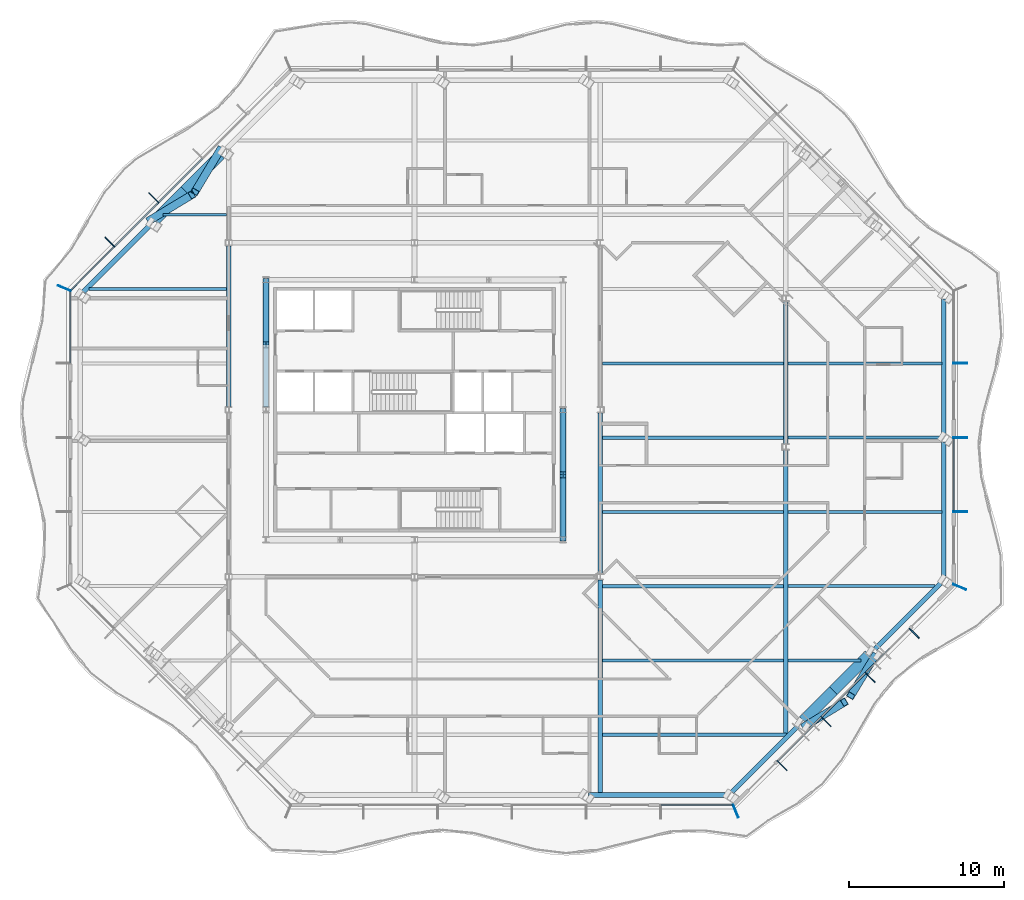
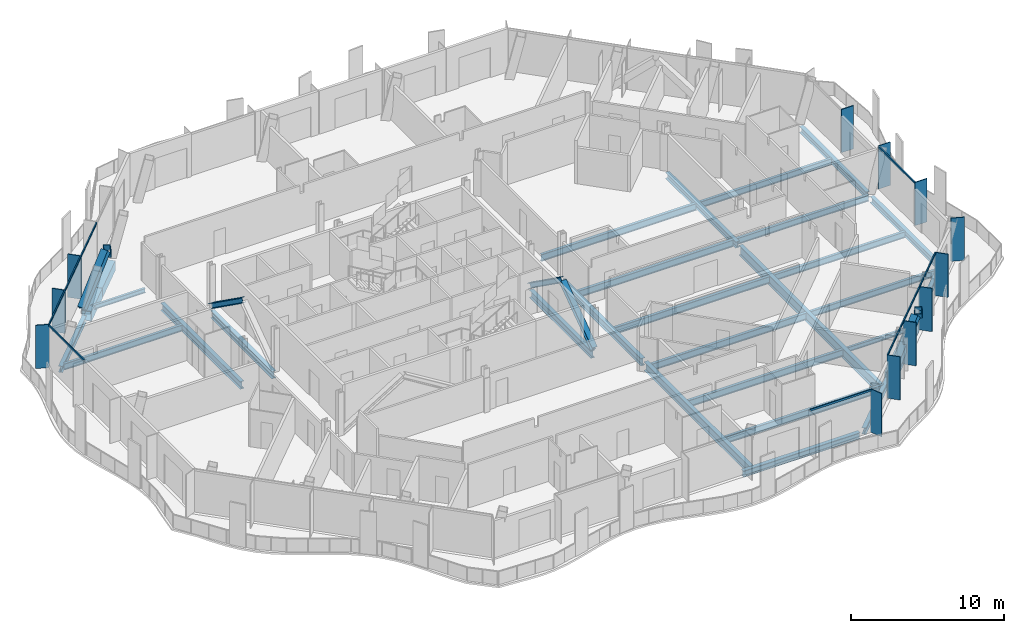
# One storey, part 4 of 19: 30 beams, 28 members, 5 elements without a shape of their own.
"""IFC4 building model written with IfcOpenShell, lengths in metres."""

from ifc_helpers import new_model, si_unit, direction, frame, origin, origin_2d, place, context, subcontext, project, spatial, rectangle, hollow_rectangle, i_section, extrude, material, material_profile, profile_set, type_object, element, aggregate, save


model = new_model("IFC4")

# Units and contexts
model_context = context("Model", 3, precision=1e-05, world=origin(), true_north=direction((0.0, 1.0)))
body_context = subcontext(model_context, "Body", "Model", "MODEL_VIEW")
ifc_project = project(units=[si_unit("LENGTHUNIT", "METRE"), si_unit("AREAUNIT", "SQUARE_METRE"), si_unit("VOLUMEUNIT", "CUBIC_METRE"), si_unit("PLANEANGLEUNIT", "RADIAN"), si_unit("MASSUNIT", "GRAM", prefix="KILO")], contexts=[model_context])

# Site, building, storey
site_placement = place(None, origin())
site = spatial("IfcSite", under=ifc_project, at=site_placement, CompositionType="ELEMENT")
building_placement = place(site_placement, origin())
building = spatial("IfcBuilding", under=site, at=building_placement, Name="Cairn Pilgrim Tower", CompositionType="ELEMENT")
storey_placement = place(building_placement, frame((0.0, 0.0, 193.800048828125)))
storey = spatial("IfcBuildingStorey", under=building, at=storey_placement, Name="L49", CompositionType="ELEMENT", Elevation=193.800048828125)

# Members
ifc_material_1 = material(Name="Structural steel S460M", Category="steel")
ifc_material_profile_1 = material_profile(ifc_material_1, hollow_rectangle(XDim=0.5, YDim=0.5, WallThickness=0.030029296875, at=origin_2d()), Name="BOX 500x500x30")
ifc_profile_set_1 = profile_set([ifc_material_profile_1], Name="Structural steel S460M")
member_type_1 = type_object("IfcMemberType", Name="BOX 500x500x30 BRACE", PredefinedType="BRACE", material=ifc_profile_set_1)
member_1_placement = place(storey_placement, frame((32.41650390625, -18.055908203125, 0.14990234375), z_axis=(0.644812498012, 0.39144938738, 0.656493883846), x_axis=(-0.518935596593, 0.854813340203, 0.0)))
element("IfcMember", 1, at=member_1_placement, inside=storey, type_object=member_type_1, Name="XB-SE2-SE3-1", PredefinedType="BRACE", context=body_context, shape_type="SweptSolid", body=[
    extrude(hollow_rectangle(XDim=0.5, YDim=0.5, WallThickness=0.030029296875, at=origin_2d()), origin(), (0.0, 0.0, 1.0), 3.970947265625),
])
member_2_placement = place(storey_placement, frame((36.9560546875, -13.5166015625, 0.14990234375), z_axis=(-0.391501445587, -0.644796978851, 0.65647808354), x_axis=(0.854777185074, -0.518995148222, 0.0)))
element("IfcMember", 2, at=member_2_placement, inside=storey, type_object=member_type_1, Name="XB-SE2-SE3-2", PredefinedType="BRACE", context=body_context, shape_type="SweptSolid", body=[
    extrude(hollow_rectangle(XDim=0.5, YDim=0.5, WallThickness=0.030029296875, at=origin_2d()), origin(), (0.0, 0.0, 1.0), 3.97119140625),
])
member_3_placement = place(storey_placement, frame((-5.351318359375, 19.2119140625, 0.13232421875), z_axis=(-0.39666235329, -0.656883692244, 0.641219769148), x_axis=(0.856033691738, -0.516920031156, 0.0)))
element("IfcMember", 3, at=member_3_placement, inside=storey, type_object=member_type_1, Name="XB-NW2-NW3-1", PredefinedType="BRACE", context=body_context, shape_type="SweptSolid", body=[
    extrude(hollow_rectangle(XDim=0.5, YDim=0.5, WallThickness=0.030029296875, at=origin_2d()), origin(), (0.0, 0.0, 1.0), 4.14599609375),
])
member_4_placement = place(storey_placement, frame((-9.91015625, 14.656005859375, 0.1337890625), z_axis=(0.657089677269, 0.395915981541, 0.641469945974), x_axis=(-0.516088024647, 0.856535551402, 0.0)))
element("IfcMember", 4, at=member_4_placement, inside=storey, type_object=member_type_1, Name="XB-NW2-NW3-2", PredefinedType="BRACE", context=body_context, shape_type="SweptSolid", body=[
    extrude(hollow_rectangle(XDim=0.5, YDim=0.5, WallThickness=0.030029296875, at=origin_2d()), origin(), (0.0, 0.0, 1.0), 4.14208984375),
])

# Beams
ifc_material_2 = material(Name="Structural steel S355J2", Category="steel")
ifc_material_profile_2 = material_profile(ifc_material_2, hollow_rectangle(XDim=0.699951171875, YDim=0.800048828125, WallThickness=0.0400390625, at=origin_2d()), Name="BOX 700x800x40")
ifc_profile_set_2 = profile_set([ifc_material_profile_2], Name="Structural steel S355J2")
beam_type_1 = type_object("IfcBeamType", Name="BOX 700x800x40 RING GIRDER", PredefinedType="SPANDREL", material=ifc_profile_set_2)
beam_1_placement = place(storey_placement, frame((32.34228515625, -17.684814453125, -0.550048828125), z_axis=(0.707151417539, 0.707062142016, 0.0), x_axis=(-0.707062142016, 0.707151417539, 0.0)))
element("IfcBeam", 5, at=beam_1_placement, inside=storey, type_object=beam_type_1, Name="RG2-SE2-SE3-1", PredefinedType="SPANDREL", context=body_context, shape_type="SweptSolid", body=[
    extrude(hollow_rectangle(XDim=0.699951171875, YDim=0.800048828125, WallThickness=0.0400390625, at=origin_2d()), origin(), (0.0, 0.0, 1.0), 2.734619140625),
])
for number, where, z_axis, x_axis, name in (
    (6, (34.276123046875, -15.751220703125, -0.550048828125), (0.707069392857, 0.707144167539, 0.0), (-0.707144167539, 0.707069392857, 0.0), "RG2-SE2-SE3-2"),
    (7, (-5.34228515625, 18.884765625, -0.550048828125), (-0.707144167539, -0.707069392857, 0.0), (0.707069392857, -0.707144167539, 0.0), "RG2-NW2-NW3-1"),
):
    element("IfcBeam", number, at=place(storey_placement, frame(where, z_axis=z_axis, x_axis=x_axis)), inside=storey, type_object=beam_type_1, Name=name, PredefinedType="SPANDREL", context=body_context, shape_type="SweptSolid", body=[
        extrude(hollow_rectangle(XDim=0.699951171875, YDim=0.800048828125, WallThickness=0.0400390625, at=origin_2d()), origin(), (0.0, 0.0, 1.0), 3.26513671875),
    ])
beam_2_placement = place(storey_placement, frame((-7.651123046875, 16.576171875, -0.550048828125), z_axis=(-0.707062142016, -0.707151417539, 0.0), x_axis=(0.707151417539, -0.707062142016, 0.0)))
element("IfcBeam", 8, at=beam_2_placement, inside=storey, type_object=beam_type_1, Name="RG2-NW2-NW3-2", PredefinedType="SPANDREL", context=body_context, shape_type="SweptSolid", body=[
    extrude(hollow_rectangle(XDim=0.699951171875, YDim=0.800048828125, WallThickness=0.0400390625, at=origin_2d()), origin(), (0.0, 0.0, 1.0), 2.734619140625),
])

# Curtain wall, members
ifc_material_3 = material(Name="Aluminium alloy 6063-T6 bronze anodised with Bronze tinted laminated low-E glass 8+16+8.8", Category="aluminium")
curtain_wall_type_1 = type_object("IfcCurtainWallType", Name="CHAMFER CORNER CURTAIN WALL", PredefinedType="NOTDEFINED", material=ifc_material_3)
curtain_wall_1_placement = place(storey_placement, origin())
curtain_wall_1 = element("IfcCurtainWall", 9, at=curtain_wall_1_placement, inside=storey, type_object=curtain_wall_type_1, Name="Chamfer Corner Curtain Wall SE", PredefinedType="NOTDEFINED")
ifc_material_4 = material(Name="Aluminium alloy 6063-T6 bronze anodised", Category="aluminium")
ifc_material_profile_3 = material_profile(ifc_material_4, rectangle(XDim=0.89990234375, YDim=0.06005859375, at=origin_2d()), Name="FIN MULLION 60x900 BRONZE")
ifc_profile_set_3 = profile_set([ifc_material_profile_3], Name="Aluminium alloy 6063-T6 bronze anodised")
member_type_2 = type_object("IfcMemberType", Name="FIN MULLION 60x900 BRONZE", PredefinedType="MULLION", material=ifc_profile_set_3)
member_5_placement = place(storey_placement, frame((27.957275390625, -23.5380859375, 0.0), z_axis=(0.0, 0.0, 1.0), x_axis=(0.382683432365, -0.923879532511, 0.0)))
member_5 = element("IfcMember", 10, at=member_5_placement, type_object=member_type_2, Name="Fin mullion SE1", PredefinedType="MULLION", context=body_context, shape_type="SweptSolid", body=[
    extrude(rectangle(XDim=0.89990234375, YDim=0.06005859375, at=origin_2d()), origin(), (0.0, 0.0, 1.0), 3.449951171875),
])
member_6_placement = place(storey_placement, frame((30.944091796875, -20.59619140625, 0.0), z_axis=(0.0, 0.0, 1.0), x_axis=(0.707106781187, -0.707106781187, 0.0)))
member_6 = element("IfcMember", 11, at=member_6_placement, type_object=member_type_2, Name="Fin mullion SE2", PredefinedType="MULLION", context=body_context, shape_type="SweptSolid", body=[
    extrude(rectangle(XDim=0.89990234375, YDim=0.06005859375, at=origin_2d()), origin(), (0.0, 0.0, 1.0), 3.449951171875),
])
member_7_placement = place(storey_placement, frame((33.794921875, -17.74560546875, 0.0), z_axis=(0.0, 0.0, 1.0), x_axis=(0.707106781187, -0.707106781187, 0.0)))
member_7 = element("IfcMember", 12, at=member_7_placement, type_object=member_type_2, Name="Fin mullion SE3", PredefinedType="MULLION", context=body_context, shape_type="SweptSolid", body=[
    extrude(rectangle(XDim=0.89990234375, YDim=0.06005859375, at=origin_2d()), origin(), (0.0, 0.0, 1.0), 3.449951171875),
])
member_8_placement = place(storey_placement, frame((36.6455078125, -14.894775390625, 0.0), z_axis=(0.0, 0.0, 1.0), x_axis=(0.707106781187, -0.707106781187, 0.0)))
member_8 = element("IfcMember", 13, at=member_8_placement, type_object=member_type_2, Name="Fin mullion SE4", PredefinedType="MULLION", context=body_context, shape_type="SweptSolid", body=[
    extrude(rectangle(XDim=0.89990234375, YDim=0.06005859375, at=origin_2d()), origin(), (0.0, 0.0, 1.0), 3.449951171875),
])
member_9_placement = place(storey_placement, frame((39.496337890625, -12.044189453125, 0.0), z_axis=(0.0, 0.0, 1.0), x_axis=(0.707106781187, -0.707106781187, 0.0)))
member_9 = element("IfcMember", 14, at=member_9_placement, type_object=member_type_2, Name="Fin mullion SE5", PredefinedType="MULLION", context=body_context, shape_type="SweptSolid", body=[
    extrude(rectangle(XDim=0.89990234375, YDim=0.06005859375, at=origin_2d()), origin(), (0.0, 0.0, 1.0), 3.449951171875),
])

curtain_wall_type_2 = type_object("IfcCurtainWallType", Name="TOWER STICK CURTAIN WALL EW", PredefinedType="NOTDEFINED", material=ifc_material_3)
curtain_wall_2_placement = place(storey_placement, origin())
curtain_wall_2 = element("IfcCurtainWall", 15, at=curtain_wall_2_placement, inside=storey, type_object=curtain_wall_type_2, Name="Tower Stick Curtain Wall Ew E", PredefinedType="NOTDEFINED")
member_10_placement = place(storey_placement, frame((42.43798828125, -9.05712890625, 0.0), z_axis=(0.0, 0.0, 1.0), x_axis=(0.923879532511, -0.382683432365, 0.0)))
member_10 = element("IfcMember", 16, at=member_10_placement, type_object=member_type_2, Name="Fin mullion E1", PredefinedType="MULLION", context=body_context, shape_type="SweptSolid", body=[
    extrude(rectangle(XDim=0.89990234375, YDim=0.06005859375, at=origin_2d()), origin(), (0.0, 0.0, 1.0), 3.449951171875),
])
member_11_placement = place(storey_placement, frame((42.469970703125, -4.199951171875, 0.0), z_axis=(0.0, 0.0, 1.0), x_axis=(1.0, 0.0, 0.0)))
member_11 = element("IfcMember", 17, at=member_11_placement, type_object=member_type_2, Name="Fin mullion E2", PredefinedType="MULLION", context=body_context, shape_type="SweptSolid", body=[
    extrude(rectangle(XDim=0.89990234375, YDim=0.06005859375, at=origin_2d()), origin(), (0.0, 0.0, 1.0), 3.449951171875),
])
member_12_placement = place(storey_placement, frame((42.469970703125, 0.60009765625, 0.0), z_axis=(0.0, 0.0, 1.0), x_axis=(1.0, 0.0, 0.0)))
member_12 = element("IfcMember", 18, at=member_12_placement, type_object=member_type_2, Name="Fin mullion E3", PredefinedType="MULLION", context=body_context, shape_type="SweptSolid", body=[
    extrude(rectangle(XDim=0.89990234375, YDim=0.06005859375, at=origin_2d()), origin(), (0.0, 0.0, 1.0), 3.449951171875),
])
member_13_placement = place(storey_placement, frame((42.469970703125, 5.39990234375, 0.0), z_axis=(0.0, 0.0, 1.0), x_axis=(1.0, 0.0, 0.0)))
member_13 = element("IfcMember", 19, at=member_13_placement, type_object=member_type_2, Name="Fin mullion E4", PredefinedType="MULLION", context=body_context, shape_type="SweptSolid", body=[
    extrude(rectangle(XDim=0.89990234375, YDim=0.06005859375, at=origin_2d()), origin(), (0.0, 0.0, 1.0), 3.449951171875),
])

curtain_wall_3_placement = place(storey_placement, origin())
curtain_wall_3 = element("IfcCurtainWall", 20, at=curtain_wall_3_placement, inside=storey, type_object=curtain_wall_type_1, Name="Chamfer Corner Curtain Wall NW", PredefinedType="NOTDEFINED")
member_14_placement = place(storey_placement, frame((-9.6455078125, 16.094970703125, 0.0), z_axis=(0.0, 0.0, 1.0), x_axis=(-0.707106781187, 0.707106781187, 0.0)))
member_14 = element("IfcMember", 21, at=member_14_placement, type_object=member_type_2, Name="Fin mullion NW4", PredefinedType="MULLION", context=body_context, shape_type="SweptSolid", body=[
    extrude(rectangle(XDim=0.89990234375, YDim=0.06005859375, at=origin_2d()), origin(), (0.0, 0.0, 1.0), 3.449951171875),
])
member_15_placement = place(storey_placement, frame((-12.496337890625, 13.244140625, 0.0), z_axis=(0.0, 0.0, 1.0), x_axis=(-0.707106781187, 0.707106781187, 0.0)))
member_15 = element("IfcMember", 22, at=member_15_placement, type_object=member_type_2, Name="Fin mullion NW5", PredefinedType="MULLION", context=body_context, shape_type="SweptSolid", body=[
    extrude(rectangle(XDim=0.89990234375, YDim=0.06005859375, at=origin_2d()), origin(), (0.0, 0.0, 1.0), 3.449951171875),
])

# Curtain wall, member
curtain_wall_4_placement = place(storey_placement, origin())
curtain_wall_4 = element("IfcCurtainWall", 23, at=curtain_wall_4_placement, inside=storey, type_object=curtain_wall_type_2, Name="Tower Stick Curtain Wall Ew W", PredefinedType="NOTDEFINED")
member_16_placement = place(storey_placement, frame((-15.43798828125, 10.257080078125, 0.0), z_axis=(0.0, 0.0, 1.0), x_axis=(-0.923879532511, 0.382683432365, 0.0)))
member_16 = element("IfcMember", 24, at=member_16_placement, type_object=member_type_2, Name="Fin mullion W1", PredefinedType="MULLION", context=body_context, shape_type="SweptSolid", body=[
    extrude(rectangle(XDim=0.89990234375, YDim=0.06005859375, at=origin_2d()), origin(), (0.0, 0.0, 1.0), 3.449951171875),
])

# Members
ifc_material_profile_4 = material_profile(ifc_material_2, i_section(OverallWidth=0.39794921875, OverallDepth=0.386962890625, WebThickness=0.02099609375, FlangeThickness=0.033203125, FilletRadius=0.014892578125, at=origin_2d()), Name="HD 400x262")
ifc_profile_set_4 = profile_set([ifc_material_profile_4], Name="Structural steel S355J2")
member_type_3 = type_object("IfcMemberType", Name="HD 400x262 BRACE", PredefinedType="BRACE", material=ifc_profile_set_4)
member_17_placement = place(storey_placement, frame((16.800048828125, -5.959716796875, 0.099853515625), z_axis=(0.0, 0.814429122825, 0.580263047155), x_axis=(-1.0, 0.0, 0.0)))
element("IfcMember", 25, at=member_17_placement, inside=storey, type_object=member_type_3, Name="KB-2A", PredefinedType="BRACE", context=body_context, shape_type="SweptSolid", body=[
    extrude(i_section(OverallWidth=0.39794921875, OverallDepth=0.386962890625, WebThickness=0.02099609375, FlangeThickness=0.033203125, FilletRadius=0.014892578125, at=origin_2d()), origin(), (0.0, 0.0, 1.0), 4.999267578125),
])
for number, where, z_axis, x_axis, name in (
    (26, (16.800048828125, 2.359619140625, 0.099853515625), (0.0, -0.814412678688, 0.580286126659), (1.0, 0.0, 0.0), "KB-2B"),
    (27, (-2.39990234375, 10.759521484375, 0.099853515625), (0.0, -0.814412678688, 0.580286126659), (1.0, 0.0, 0.0), "KB-4A"),
):
    element("IfcMember", number, at=place(storey_placement, frame(where, z_axis=z_axis, x_axis=x_axis)), inside=storey, type_object=member_type_3, Name=name, PredefinedType="BRACE", context=body_context, shape_type="SweptSolid", body=[
        extrude(i_section(OverallWidth=0.39794921875, OverallDepth=0.386962890625, WebThickness=0.02099609375, FlangeThickness=0.033203125, FilletRadius=0.014892578125, at=origin_2d()), origin(), (0.0, 0.0, 1.0), 4.9990234375),
    ])

# Beams
ifc_material_profile_5 = material_profile(ifc_material_2, i_section(OverallWidth=0.300048828125, OverallDepth=0.5, WebThickness=0.014404296875, FlangeThickness=0.028076171875, FilletRadius=0.027099609375, at=origin_2d()), Name="HEB 500")
ifc_profile_set_5 = profile_set([ifc_material_profile_5], Name="Structural steel S355J2")
beam_type_2 = type_object("IfcBeamType", Name="HEB 500 GIRDER", PredefinedType="BEAM", material=ifc_profile_set_5)
beam_3_placement = place(storey_placement, frame((31.199951171875, 0.20458984375, -0.400146484375), z_axis=(0.0, 1.0, 0.0), x_axis=(-1.0, 0.0, 0.0)))
element("IfcBeam", 28, at=beam_3_placement, inside=storey, type_object=beam_type_2, Name="PG5-2", PredefinedType="BEAM", context=body_context, shape_type="SweptSolid", body=[
    extrude(i_section(OverallWidth=0.300048828125, OverallDepth=0.5, WebThickness=0.014404296875, FlangeThickness=0.028076171875, FilletRadius=0.027099609375, at=origin_2d()), origin(), (0.0, 0.0, 1.0), 9.19091796875),
])
ifc_material_profile_6 = material_profile(ifc_material_2, i_section(OverallWidth=0.300048828125, OverallDepth=0.5, WebThickness=0.014404296875, FlangeThickness=0.028076171875, FilletRadius=0.027099609375, at=origin_2d()), Name="HEB 500")
ifc_profile_set_6 = profile_set([ifc_material_profile_6], Name="Structural steel S355J2")
beam_type_3 = type_object("IfcBeamType", Name="HEB 500 RING GIRDER", PredefinedType="SPANDREL", material=ifc_profile_set_6)
beam_4_placement = place(storey_placement, frame((18.44580078125, -22.5, -0.400146484375), z_axis=(1.0, 0.0, 0.0), x_axis=(0.0, 1.0, 0.0)))
element("IfcBeam", 29, at=beam_4_placement, inside=storey, type_object=beam_type_3, Name="RG2-S3-SE1", PredefinedType="SPANDREL", context=body_context, shape_type="SweptSolid", body=[
    extrude(i_section(OverallWidth=0.300048828125, OverallDepth=0.5, WebThickness=0.014404296875, FlangeThickness=0.028076171875, FilletRadius=0.027099609375, at=origin_2d()), origin(), (0.0, 0.0, 1.0), 8.811279296875),
])
beam_5_placement = place(storey_placement, frame((27.718017578125, -22.30908203125, -0.400146484375), z_axis=(0.707127126363, 0.707086435425, 0.0), x_axis=(-0.707086435425, 0.707127126363, 0.0)))
element("IfcBeam", 30, at=beam_5_placement, inside=storey, type_object=beam_type_3, Name="RG2-SE1-SE2", PredefinedType="SPANDREL", context=body_context, shape_type="SweptSolid", body=[
    extrude(i_section(OverallWidth=0.300048828125, OverallDepth=0.5, WebThickness=0.014404296875, FlangeThickness=0.028076171875, FilletRadius=0.027099609375, at=origin_2d()), origin(), (0.0, 0.0, 1.0), 5.999755859375),
])
beam_6_placement = place(storey_placement, frame((36.966796875, -13.060546875, -0.400146484375), z_axis=(0.707086434254, 0.707127127534, 0.0), x_axis=(-0.707127127534, 0.707086434254, 0.0)))
element("IfcBeam", 31, at=beam_6_placement, inside=storey, type_object=beam_type_3, Name="RG2-SE3-E1", PredefinedType="SPANDREL", context=body_context, shape_type="SweptSolid", body=[
    extrude(i_section(OverallWidth=0.300048828125, OverallDepth=0.5, WebThickness=0.014404296875, FlangeThickness=0.028076171875, FilletRadius=0.027099609375, at=origin_2d()), origin(), (0.0, 0.0, 1.0), 5.99951171875),
])
beam_7_placement = place(storey_placement, frame((41.39990234375, -8.357177734375, -0.400146484375), z_axis=(0.0, 1.0, 0.0), x_axis=(-1.0, 0.0, 0.0)))
element("IfcBeam", 32, at=beam_7_placement, inside=storey, type_object=beam_type_3, Name="RG2-E1-E2", PredefinedType="SPANDREL", context=body_context, shape_type="SweptSolid", body=[
    extrude(i_section(OverallWidth=0.300048828125, OverallDepth=0.5, WebThickness=0.014404296875, FlangeThickness=0.028076171875, FilletRadius=0.027099609375, at=origin_2d()), origin(), (0.0, 0.0, 1.0), 8.687255859375),
])
beam_8_placement = place(storey_placement, frame((41.39990234375, 0.8701171875, -0.400146484375), z_axis=(0.0, 1.0, 0.0), x_axis=(-1.0, 0.0, 0.0)))
element("IfcBeam", 33, at=beam_8_placement, inside=storey, type_object=beam_type_3, Name="RG2-E2-NE1", PredefinedType="SPANDREL", context=body_context, shape_type="SweptSolid", body=[
    extrude(i_section(OverallWidth=0.300048828125, OverallDepth=0.5, WebThickness=0.014404296875, FlangeThickness=0.028076171875, FilletRadius=0.027099609375, at=origin_2d()), origin(), (0.0, 0.0, 1.0), 8.68701171875),
])
beam_9_placement = place(storey_placement, frame((-9.966796875, 14.260498046875, -0.400146484375), z_axis=(-0.707086434254, -0.707127127534, 0.0), x_axis=(0.707127127534, -0.707086434254, 0.0)))
element("IfcBeam", 34, at=beam_9_placement, inside=storey, type_object=beam_type_3, Name="RG2-NW3-W1", PredefinedType="SPANDREL", context=body_context, shape_type="SweptSolid", body=[
    extrude(i_section(OverallWidth=0.300048828125, OverallDepth=0.5, WebThickness=0.014404296875, FlangeThickness=0.028076171875, FilletRadius=0.027099609375, at=origin_2d()), origin(), (0.0, 0.0, 1.0), 5.99951171875),
])
ifc_material_profile_7 = material_profile(ifc_material_2, i_section(OverallWidth=0.300048828125, OverallDepth=0.60009765625, WebThickness=0.015380859375, FlangeThickness=0.030029296875, FilletRadius=0.027099609375, at=origin_2d()), Name="HEB 600")
ifc_profile_set_7 = profile_set([ifc_material_profile_7], Name="Structural steel S355J2")
beam_type_4 = type_object("IfcBeamType", Name="HEB 600 CORE BEAM", PredefinedType="BEAM", material=ifc_profile_set_7)
for number, where, z_axis, x_axis, name in (
    (35, (16.800048828125, -5.818115234375, -0.449951171875), (0.0, 1.0, 0.0), (-1.0, 0.0, 0.0), "CB-3"),
    (36, (-2.39990234375, 10.6181640625, -0.449951171875), (0.0, -1.0, 0.0), (1.0, 0.0, 0.0), "CB-7"),
):
    element("IfcBeam", number, at=place(storey_placement, frame(where, z_axis=z_axis, x_axis=x_axis)), inside=storey, type_object=beam_type_4, Name=name, PredefinedType="BEAM", context=body_context, shape_type="SweptSolid", body=[
        extrude(i_section(OverallWidth=0.300048828125, OverallDepth=0.60009765625, WebThickness=0.015380859375, FlangeThickness=0.030029296875, FilletRadius=0.027099609375, at=origin_2d()), origin(), (0.0, 0.0, 1.0), 8.036376953125),
    ])
ifc_material_profile_8 = material_profile(ifc_material_2, i_section(OverallWidth=0.300048828125, OverallDepth=0.60009765625, WebThickness=0.015380859375, FlangeThickness=0.030029296875, FilletRadius=0.027099609375, at=origin_2d()), Name="HEB 600")
ifc_profile_set_8 = profile_set([ifc_material_profile_8], Name="Structural steel S355J2")
beam_type_5 = type_object("IfcBeamType", Name="HEB 600 GIRDER", PredefinedType="BEAM", material=ifc_profile_set_8)
for number, where, z_axis, x_axis, name in (
    (37, (-4.800048828125, 2.599609375, -0.449951171875), (0.0, 1.0, 0.0), (-1.0, 0.0, 0.0), "PG2-3"),
    (38, (19.199951171875, -8.200439453125, -0.449951171875), (0.0, 1.0, 0.0), (-1.0, 0.0, 0.0), "PG4-2"),
):
    element("IfcBeam", number, at=place(storey_placement, frame(where, z_axis=z_axis, x_axis=x_axis)), inside=storey, type_object=beam_type_5, Name=name, PredefinedType="BEAM", context=body_context, shape_type="SweptSolid", body=[
        extrude(i_section(OverallWidth=0.300048828125, OverallDepth=0.60009765625, WebThickness=0.015380859375, FlangeThickness=0.030029296875, FilletRadius=0.027099609375, at=origin_2d()), origin(), (0.0, 0.0, 1.0), 10.40087890625),
    ])
ifc_material_profile_9 = material_profile(ifc_material_2, i_section(OverallWidth=0.300048828125, OverallDepth=0.699951171875, WebThickness=0.01708984375, FlangeThickness=0.031982421875, FilletRadius=0.027099609375, at=origin_2d()), Name="HEB 700")
ifc_profile_set_9 = profile_set([ifc_material_profile_9], Name="Structural steel S355J2")
beam_type_6 = type_object("IfcBeamType", Name="HEB 700 GIRDER", PredefinedType="BEAM", material=ifc_profile_set_9)
beam_10_placement = place(storey_placement, frame((19.199951171875, -22.3798828125, -0.5), z_axis=(0.0, 1.0, 0.0), x_axis=(-1.0, 0.0, 0.0)))
element("IfcBeam", 39, at=beam_10_placement, inside=storey, type_object=beam_type_6, Name="PG4-1", PredefinedType="BEAM", context=body_context, shape_type="SweptSolid", body=[
    extrude(i_section(OverallWidth=0.300048828125, OverallDepth=0.699951171875, WebThickness=0.01708984375, FlangeThickness=0.031982421875, FilletRadius=0.027099609375, at=origin_2d()), origin(), (0.0, 0.0, 1.0), 13.7802734375),
])
ifc_material_profile_10 = material_profile(ifc_material_2, i_section(OverallWidth=0.300048828125, OverallDepth=0.800048828125, WebThickness=0.017578125, FlangeThickness=0.032958984375, FilletRadius=0.030029296875, at=origin_2d()), Name="HEB 800")
ifc_profile_set_10 = profile_set([ifc_material_profile_10], Name="Structural steel S355J2")
beam_type_7 = type_object("IfcBeamType", Name="HEB 800 GIRDER", PredefinedType="BEAM", material=ifc_profile_set_10)
beam_11_placement = place(storey_placement, frame((31.199951171875, -18.64501953125, -0.550048828125), z_axis=(0.0, 1.0, 0.0), x_axis=(-1.0, 0.0, 0.0)))
element("IfcBeam", 40, at=beam_11_placement, inside=storey, type_object=beam_type_7, Name="PG5-1", PredefinedType="BEAM", context=body_context, shape_type="SweptSolid", body=[
    extrude(i_section(OverallWidth=0.300048828125, OverallDepth=0.800048828125, WebThickness=0.017578125, FlangeThickness=0.032958984375, FilletRadius=0.030029296875, at=origin_2d()), origin(), (0.0, 0.0, 1.0), 18.4404296875),
])
ifc_material_profile_11 = material_profile(ifc_material_2, i_section(OverallWidth=0.169921875, OverallDepth=0.360107421875, WebThickness=0.008056640625, FlangeThickness=0.0126953125, FilletRadius=0.01806640625, at=origin_2d()), Name="IPE 360")
ifc_profile_set_11 = profile_set([ifc_material_profile_11], Name="Structural steel S355J2")
beam_type_8 = type_object("IfcBeamType", Name="IPE 360 SECONDARY BEAM", PredefinedType="JOIST", material=ifc_profile_set_11)
beam_12_placement = place(storey_placement, frame((31.35009765625, -13.800048828125, -0.330078125), z_axis=(1.0, 0.0, 0.0), x_axis=(0.0, 1.0, 0.0)))
element("IfcBeam", 41, at=beam_12_placement, inside=storey, type_object=beam_type_8, Name="SB2-5", PredefinedType="JOIST", context=body_context, shape_type="SweptSolid", body=[
    extrude(i_section(OverallWidth=0.169921875, OverallDepth=0.360107421875, WebThickness=0.008056640625, FlangeThickness=0.0126953125, FilletRadius=0.01806640625, at=origin_2d()), origin(), (0.0, 0.0, 1.0), 4.695068359375),
])
beam_13_placement = place(storey_placement, frame((-9.045166015625, 15.0, -0.330078125), z_axis=(1.0, 0.0, 0.0), x_axis=(0.0, 1.0, 0.0)))
element("IfcBeam", 42, at=beam_13_placement, inside=storey, type_object=beam_type_8, Name="SB8-1", PredefinedType="JOIST", context=body_context, shape_type="SweptSolid", body=[
    extrude(i_section(OverallWidth=0.169921875, OverallDepth=0.360107421875, WebThickness=0.008056640625, FlangeThickness=0.0126953125, FilletRadius=0.01806640625, at=origin_2d()), origin(), (0.0, 0.0, 1.0), 4.09521484375),
])
ifc_material_profile_12 = material_profile(ifc_material_2, i_section(OverallWidth=0.199951171875, OverallDepth=0.5, WebThickness=0.01025390625, FlangeThickness=0.01611328125, FilletRadius=0.02099609375, at=origin_2d()), Name="IPE 500")
ifc_profile_set_12 = profile_set([ifc_material_profile_12], Name="Structural steel S355J2")
beam_type_9 = type_object("IfcBeamType", Name="IPE 500 SECONDARY BEAM", PredefinedType="JOIST", material=ifc_profile_set_12)
beam_14_placement = place(storey_placement, frame((31.35009765625, -9.0, -0.400146484375), z_axis=(1.0, 0.0, 0.0), x_axis=(0.0, 1.0, 0.0)))
element("IfcBeam", 43, at=beam_14_placement, inside=storey, type_object=beam_type_9, Name="SB3-3", PredefinedType="JOIST", context=body_context, shape_type="SweptSolid", body=[
    extrude(i_section(OverallWidth=0.199951171875, OverallDepth=0.5, WebThickness=0.01025390625, FlangeThickness=0.01611328125, FilletRadius=0.02099609375, at=origin_2d()), origin(), (0.0, 0.0, 1.0), 9.4951171875),
])
for number, where, z_axis, x_axis, name in (
    (44, (31.35009765625, -4.199951171875, -0.400146484375), (1.0, 0.0, 0.0), (0.0, 1.0, 0.0), "SB4-3"),
    (45, (31.35009765625, 0.60009765625, -0.400146484375), (1.0, 0.0, 0.0), (0.0, 1.0, 0.0), "SB5-3"),
    (46, (31.35009765625, 5.39990234375, -0.400146484375), (1.0, 0.0, 0.0), (0.0, 1.0, 0.0), "SB6-3"),
):
    element("IfcBeam", number, at=place(storey_placement, frame(where, z_axis=z_axis, x_axis=x_axis)), inside=storey, type_object=beam_type_9, Name=name, PredefinedType="JOIST", context=body_context, shape_type="SweptSolid", body=[
        extrude(i_section(OverallWidth=0.199951171875, OverallDepth=0.5, WebThickness=0.01025390625, FlangeThickness=0.01611328125, FilletRadius=0.02099609375, at=origin_2d()), origin(), (0.0, 0.0, 1.0), 9.929931640625),
    ])
beam_15_placement = place(storey_placement, frame((-13.84521484375, 10.199951171875, -0.400146484375), z_axis=(1.0, 0.0, 0.0), x_axis=(0.0, 1.0, 0.0)))
element("IfcBeam", 47, at=beam_15_placement, inside=storey, type_object=beam_type_9, Name="SB7-1", PredefinedType="JOIST", context=body_context, shape_type="SweptSolid", body=[
    extrude(i_section(OverallWidth=0.199951171875, OverallDepth=0.5, WebThickness=0.01025390625, FlangeThickness=0.01611328125, FilletRadius=0.02099609375, at=origin_2d()), origin(), (0.0, 0.0, 1.0), 8.895263671875),
])
ifc_material_profile_13 = material_profile(ifc_material_2, i_section(OverallWidth=0.2099609375, OverallDepth=0.550048828125, WebThickness=0.010986328125, FlangeThickness=0.01708984375, FilletRadius=0.02392578125, at=origin_2d()), Name="IPE 550")
ifc_profile_set_13 = profile_set([ifc_material_profile_13], Name="Structural steel S355J2")
beam_type_10 = type_object("IfcBeamType", Name="IPE 550 SECONDARY BEAM", PredefinedType="JOIST", material=ifc_profile_set_13)
beam_16_placement = place(storey_placement, frame((19.35009765625, -18.60009765625, -0.425048828125), z_axis=(1.0, 0.0, 0.0), x_axis=(0.0, 1.0, 0.0)))
element("IfcBeam", 48, at=beam_16_placement, inside=storey, type_object=beam_type_10, Name="SB1-3", PredefinedType="JOIST", context=body_context, shape_type="SweptSolid", body=[
    extrude(i_section(OverallWidth=0.2099609375, OverallDepth=0.550048828125, WebThickness=0.010986328125, FlangeThickness=0.01708984375, FilletRadius=0.02392578125, at=origin_2d()), origin(), (0.0, 0.0, 1.0), 11.89501953125),
])
for number, where, z_axis, x_axis, name in (
    (49, (19.35009765625, -13.800048828125, -0.425048828125), (1.0, 0.0, 0.0), (0.0, 1.0, 0.0), "SB2-4"),
    (50, (19.35009765625, -9.0, -0.425048828125), (1.0, 0.0, 0.0), (0.0, 1.0, 0.0), "SB3-2"),
    (51, (19.35009765625, -4.199951171875, -0.425048828125), (1.0, 0.0, 0.0), (0.0, 1.0, 0.0), "SB4-2"),
    (52, (19.35009765625, 0.60009765625, -0.425048828125), (1.0, 0.0, 0.0), (0.0, 1.0, 0.0), "SB5-2"),
    (53, (19.35009765625, 5.39990234375, -0.425048828125), (1.0, 0.0, 0.0), (0.0, 1.0, 0.0), "SB6-2"),
):
    element("IfcBeam", number, at=place(storey_placement, frame(where, z_axis=z_axis, x_axis=x_axis)), inside=storey, type_object=beam_type_10, Name=name, PredefinedType="JOIST", context=body_context, shape_type="SweptSolid", body=[
        extrude(i_section(OverallWidth=0.2099609375, OverallDepth=0.550048828125, WebThickness=0.010986328125, FlangeThickness=0.01708984375, FilletRadius=0.02392578125, at=origin_2d()), origin(), (0.0, 0.0, 1.0), 11.699951171875),
    ])

# Curtain wall, member
curtain_wall_type_3 = type_object("IfcCurtainWallType", Name="TOWER STICK CURTAIN WALL NS", PredefinedType="NOTDEFINED", material=ifc_material_3)
curtain_wall_5_placement = place(storey_placement, origin())
curtain_wall_5 = element("IfcCurtainWall", 54, at=curtain_wall_5_placement, inside=storey, type_object=curtain_wall_type_3, Name="Tower Stick Curtain Wall Ns S", PredefinedType="NOTDEFINED")
ifc_material_profile_14 = material_profile(ifc_material_4, rectangle(XDim=0.080078125, YDim=0.14990234375, at=origin_2d()), Name="TRANSOM 80x150 BRONZE")
ifc_profile_set_14 = profile_set([ifc_material_profile_14], Name="Aluminium alloy 6063-T6 bronze anodised")
member_type_4 = type_object("IfcMemberType", Name="TRANSOM 80x150 BRONZE", PredefinedType="USERDEFINED", material=ifc_profile_set_14)
member_18_placement = place(storey_placement, frame((23.1298828125, -23.14990234375, 3.375), z_axis=(1.0, 0.0, 0.0), x_axis=(0.0, 1.0, 0.0)))
member_18 = element("IfcMember", 55, at=member_18_placement, type_object=member_type_4, Name="Transom S6", ObjectType="TRANSOM", PredefinedType="USERDEFINED", context=body_context, shape_type="SweptSolid", body=[
    extrude(rectangle(XDim=0.080078125, YDim=0.14990234375, at=origin_2d()), origin(), (0.0, 0.0, 1.0), 4.62646484375),
])
aggregate(curtain_wall_5, [member_18])

# Member
member_19_placement = place(storey_placement, frame((30.66845703125, -20.278076171875, 3.375), z_axis=(0.707076043427, 0.70713751761, 0.0), x_axis=(-0.70713751761, 0.707076043427, 0.0)))
member_19 = element("IfcMember", 56, at=member_19_placement, type_object=member_type_4, Name="Transom SE2", ObjectType="TRANSOM", PredefinedType="USERDEFINED", context=body_context, shape_type="SweptSolid", body=[
    extrude(rectangle(XDim=0.080078125, YDim=0.14990234375, at=origin_2d()), origin(), (0.0, 0.0, 1.0), 3.971435546875),
])

member_20_placement = place(storey_placement, frame((33.51904296875, -17.42724609375, 3.375), z_axis=(0.70713751761, 0.707076043427, 0.0), x_axis=(-0.707076043427, 0.70713751761, 0.0)))
member_20 = element("IfcMember", 57, at=member_20_placement, type_object=member_type_4, Name="Transom SE3", ObjectType="TRANSOM", PredefinedType="USERDEFINED", context=body_context, shape_type="SweptSolid", body=[
    extrude(rectangle(XDim=0.080078125, YDim=0.14990234375, at=origin_2d()), origin(), (0.0, 0.0, 1.0), 3.971435546875),
])

member_21_placement = place(storey_placement, frame((36.369873046875, -14.57666015625, 3.375), z_axis=(0.707076043427, 0.70713751761, 0.0), x_axis=(-0.70713751761, 0.707076043427, 0.0)))
member_21 = element("IfcMember", 58, at=member_21_placement, type_object=member_type_4, Name="Transom SE4", ObjectType="TRANSOM", PredefinedType="USERDEFINED", context=body_context, shape_type="SweptSolid", body=[
    extrude(rectangle(XDim=0.080078125, YDim=0.14990234375, at=origin_2d()), origin(), (0.0, 0.0, 1.0), 3.971435546875),
])

aggregate(curtain_wall_1, [member_5, member_6, member_7, member_8, member_9, member_19, member_20, member_21])

member_22_placement = place(storey_placement, frame((42.050048828125, -4.169921875, 3.375), z_axis=(0.0, 1.0, 0.0), x_axis=(-1.0, 0.0, 0.0)))
member_22 = element("IfcMember", 59, at=member_22_placement, type_object=member_type_4, Name="Transom E2", ObjectType="TRANSOM", PredefinedType="USERDEFINED", context=body_context, shape_type="SweptSolid", body=[
    extrude(rectangle(XDim=0.080078125, YDim=0.14990234375, at=origin_2d()), origin(), (0.0, 0.0, 1.0), 4.739990234375),
])

aggregate(curtain_wall_2, [member_10, member_11, member_12, member_13, member_22])

member_23_placement = place(storey_placement, frame((-6.51904296875, 18.62744140625, 3.375), z_axis=(-0.707106781187, -0.707106781187, 0.0), x_axis=(0.707106781187, -0.707106781187, 0.0)))
member_23 = element("IfcMember", 60, at=member_23_placement, type_object=member_type_4, Name="Transom NW3", ObjectType="TRANSOM", PredefinedType="USERDEFINED", context=body_context, shape_type="SweptSolid", body=[
    extrude(rectangle(XDim=0.080078125, YDim=0.14990234375, at=origin_2d()), origin(), (0.0, 0.0, 1.0), 3.9716796875),
])

member_24_placement = place(storey_placement, frame((-9.369873046875, 15.776611328125, 3.375), z_axis=(-0.707076043427, -0.70713751761, 0.0), x_axis=(0.70713751761, -0.707076043427, 0.0)))
member_24 = element("IfcMember", 61, at=member_24_placement, type_object=member_type_4, Name="Transom NW4", ObjectType="TRANSOM", PredefinedType="USERDEFINED", context=body_context, shape_type="SweptSolid", body=[
    extrude(rectangle(XDim=0.080078125, YDim=0.14990234375, at=origin_2d()), origin(), (0.0, 0.0, 1.0), 3.971435546875),
])

member_25_placement = place(storey_placement, frame((-12.220458984375, 12.926025390625, 3.375), z_axis=(-0.707106781187, -0.707106781187, 0.0), x_axis=(0.707106781187, -0.707106781187, 0.0)))
member_25 = element("IfcMember", 62, at=member_25_placement, type_object=member_type_4, Name="Transom NW5", ObjectType="TRANSOM", PredefinedType="USERDEFINED", context=body_context, shape_type="SweptSolid", body=[
    extrude(rectangle(XDim=0.080078125, YDim=0.14990234375, at=origin_2d()), origin(), (0.0, 0.0, 1.0), 3.961669921875),
])

aggregate(curtain_wall_3, [member_14, member_15, member_23, member_24, member_25])

member_26_placement = place(storey_placement, frame((-15.050048828125, 10.056396484375, 3.375), z_axis=(0.0, -1.0, 0.0), x_axis=(1.0, 0.0, 0.0)))
member_26 = element("IfcMember", 63, at=member_26_placement, type_object=member_type_4, Name="Transom W1", ObjectType="TRANSOM", PredefinedType="USERDEFINED", context=body_context, shape_type="SweptSolid", body=[
    extrude(rectangle(XDim=0.080078125, YDim=0.14990234375, at=origin_2d()), origin(), (0.0, 0.0, 1.0), 4.62646484375),
])

aggregate(curtain_wall_4, [member_16, member_26])

save(model, "model.ifc")
